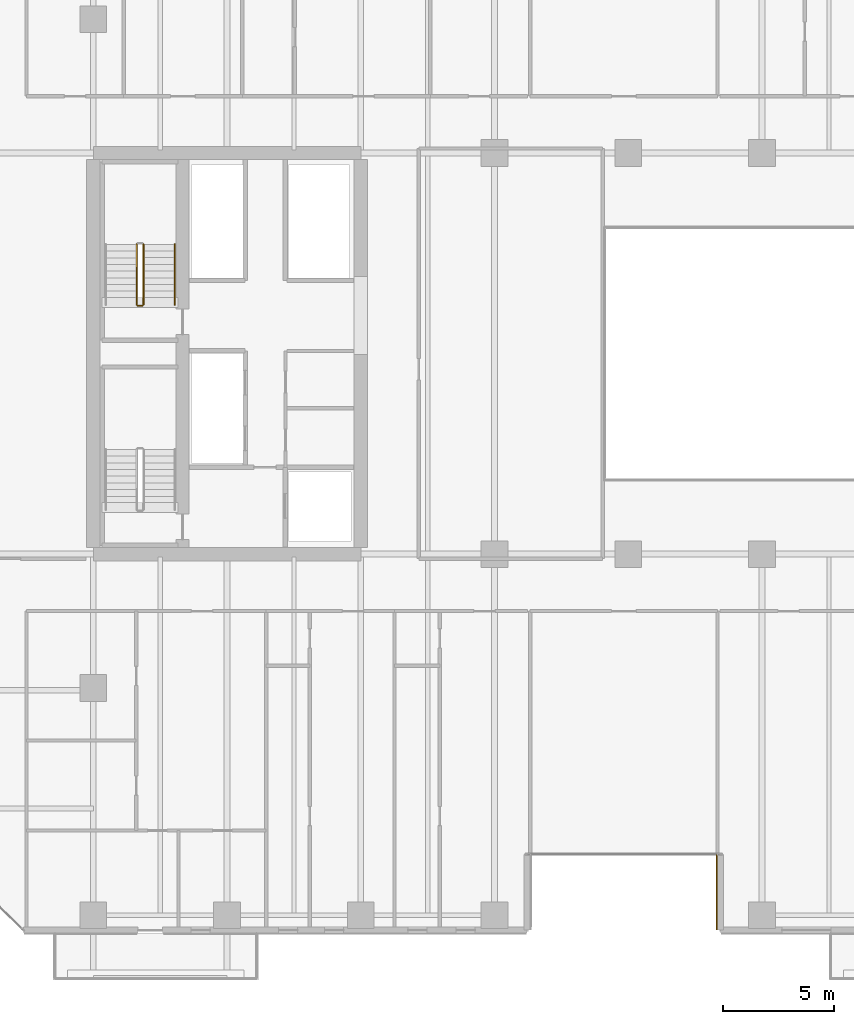
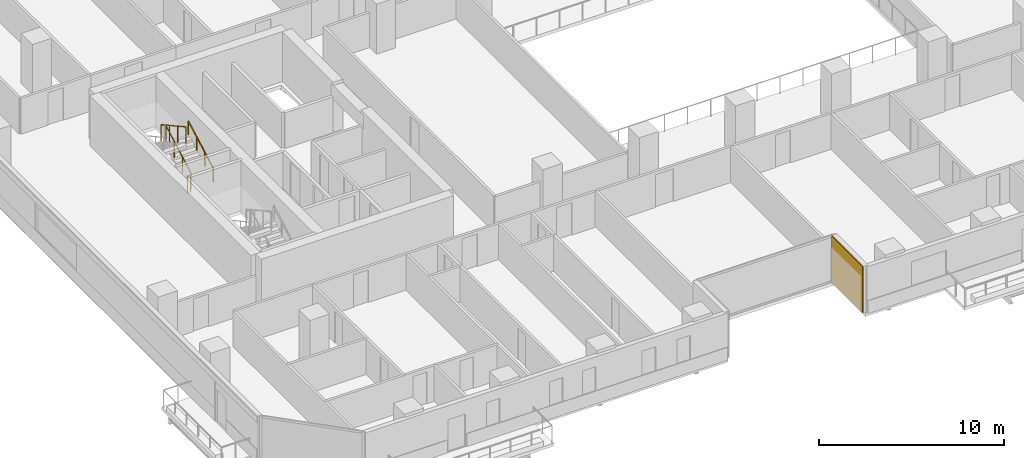
# One storey, part 27 of 33: 4 railings, 1 covering.
"""IFC4 building model written with IfcOpenShell, lengths in metres."""

from ifc_helpers import new_model, si_unit, direction, frame, origin, origin_2d, place, context, subcontext, project, spatial, rectangle, extrude, material, layer, layer_set, type_object, element, save


model = new_model("IFC4")

# Units and contexts
model_context = context("Model", 3, precision=1e-05, world=origin(), true_north=direction((0.0, 1.0)))
body_context = subcontext(model_context, "Body", "Model", "MODEL_VIEW")
ifc_project = project(units=[si_unit("LENGTHUNIT", "METRE"), si_unit("AREAUNIT", "SQUARE_METRE"), si_unit("VOLUMEUNIT", "CUBIC_METRE"), si_unit("PLANEANGLEUNIT", "RADIAN"), si_unit("MASSUNIT", "GRAM", prefix="KILO")], contexts=[model_context])

# Site, building, storey
site_placement = place(None, origin())
site = spatial("IfcSite", under=ifc_project, at=site_placement, CompositionType="ELEMENT")
building_placement = place(site_placement, origin())
building = spatial("IfcBuilding", under=site, at=building_placement, Name="Tanjung Sevakor Pilgrim Tower", CompositionType="ELEMENT")
storey_placement = place(building_placement, frame((0.0, 0.0, 38.93994140625)))
storey = spatial("IfcBuildingStorey", under=building, at=storey_placement, Name="L10", CompositionType="ELEMENT", Elevation=38.93994140625)

# Covering
ifc_material_1 = material(Name="Reconstructed Limestone Cladding", Category="masonry")
ifc_layer = layer(ifc_material_1, 0.044921875)
ifc_layer_set = layer_set([ifc_layer], Name="COV-CLAD-LIMESTONE")
covering_type = type_object("IfcCoveringType", Name="COV-CLAD-LIMESTONE", PredefinedType="CLADDING", material=ifc_layer_set)
covering_placement = place(storey_placement, frame((51.9775390625, 9.43994140625, 0.02001953125), z_axis=(0.0, 0.0, 1.0), x_axis=(0.0, -1.0, 0.0)))
element("IfcCovering", 1, at=covering_placement, inside=storey, type_object=covering_type, Name="L10 Warm Limestone Wall Cladding EW-L10-MAIN-4", PredefinedType="CLADDING", context=body_context, shape_type="SweptSolid", body=[
    extrude(rectangle(XDim=3.360107421875, YDim=0.044921875, at=origin_2d()), origin(), (0.0, 0.0, 1.0), 3.0400390625),
])

# Railings
ifc_material_2 = material(Name="Steel S355J2", Category="steel")
railing_type_1 = type_object("IfcRailingType", Name="RL-STAIR-GUARD", PredefinedType="GUARDRAIL", material=ifc_material_2)
railing_1_placement = place(storey_placement, frame((26.25, 35.800048828125, 0.1650390625)))
element("IfcRailing", 2, at=railing_1_placement, inside=storey, type_object=railing_type_1, Name="L10 TS-W2 stair guard 1", PredefinedType="GUARDRAIL", context=body_context, shape_type="SweptSolid", body=[
    extrude(rectangle(XDim=0.0479, YDim=0.0479), frame((0.0, 0.0, 1.076171875), z_axis=(0.0, 0.876197507361, 0.481952205197), x_axis=(-1.0, 0.0, 0.0)), (0.0, 0.0, 1.0), 3.08154296875),
    extrude(rectangle(XDim=0.042, YDim=0.042), origin(), (0.0, 0.0, 1.0), 1.052001953125),
    extrude(rectangle(XDim=0.042, YDim=0.042), frame((0.0, 0.89990234375, 0.4951171875)), (0.0, 0.0, 1.0), 1.052001953125),
    extrude(rectangle(XDim=0.042, YDim=0.042), frame((0.0, 1.800048828125, 0.989990234375)), (0.0, 0.0, 1.0), 1.052001953125),
    extrude(rectangle(XDim=0.042, YDim=0.042), frame((0.0, 2.699951171875, 1.485107421875)), (0.0, 0.0, 1.0), 1.052001953125),
])
railing_2_placement = place(storey_placement, frame((25.949951171875, 38.5, 1.81494140625)))
element("IfcRailing", 3, at=railing_2_placement, inside=storey, type_object=railing_type_1, Name="L10 TS-W2 stair guard 3", PredefinedType="GUARDRAIL", context=body_context, shape_type="SweptSolid", body=[
    extrude(rectangle(XDim=0.0479, YDim=0.0479), frame((0.0, 0.0, 1.076171875), z_axis=(0.0, -0.876197507361, 0.481952205197), x_axis=(1.0, 0.0, 0.0)), (0.0, 0.0, 1.0), 3.08154296875),
    extrude(rectangle(XDim=0.042, YDim=0.042), origin(), (0.0, 0.0, 1.0), 1.052001953125),
    extrude(rectangle(XDim=0.042, YDim=0.042), frame((0.0, -0.89990234375, 0.4951171875)), (0.0, 0.0, 1.0), 1.052001953125),
    extrude(rectangle(XDim=0.042, YDim=0.042), frame((0.0, -1.800048828125, 0.989990234375)), (0.0, 0.0, 1.0), 1.052001953125),
    extrude(rectangle(XDim=0.042, YDim=0.042), frame((0.0, -2.699951171875, 1.485107421875)), (0.0, 0.0, 1.0), 1.052001953125),
])
railing_3_placement = place(storey_placement, frame((26.199951171875, 35.75, 0.0)))
element("IfcRailing", 4, at=railing_3_placement, inside=storey, type_object=railing_type_1, Name="L10 TS-W2 stair guard 4", PredefinedType="GUARDRAIL", context=body_context, shape_type="SweptSolid", body=[
    extrude(rectangle(XDim=0.0479, YDim=0.0479), frame((0.0, 0.0, 1.076171875), z_axis=(-1.0, 0.0, 0.0), x_axis=(0.0, -1.0, 0.0)), (0.0, 0.0, 1.0), 0.199951171875),
    extrude(rectangle(XDim=0.042, YDim=0.042), origin(), (0.0, 0.0, 1.0), 1.052001953125),
    extrude(rectangle(XDim=0.042, YDim=0.042), frame((-0.199951171875, 0.0, 0.0)), (0.0, 0.0, 1.0), 1.052001953125),
])
ifc_material_3 = material(Name="Steel S355J2", Category="steel")
railing_type_2 = type_object("IfcRailingType", Name="RL-STAIR-HAND", PredefinedType="HANDRAIL", material=ifc_material_3)
railing_4_placement = place(storey_placement, frame((27.64990234375, 35.800048828125, 0.1650390625)))
element("IfcRailing", 5, at=railing_4_placement, inside=storey, type_object=railing_type_2, Name="L10 TS-W2 stair handrail 1", PredefinedType="HANDRAIL", context=body_context, shape_type="SweptSolid", body=[
    extrude(rectangle(XDim=0.0479, YDim=0.0479), frame((0.0, 0.0, 0.8759765625), z_axis=(0.0, 0.876197507361, 0.481952205197), x_axis=(-1.0, 0.0, 0.0)), (0.0, 0.0, 1.0), 3.08154296875),
    extrude(rectangle(XDim=0.042, YDim=0.042), origin(), (0.0, 0.0, 1.0), 0.851806640625),
    extrude(rectangle(XDim=0.042, YDim=0.042), frame((0.0, 0.89990234375, 0.4951171875)), (0.0, 0.0, 1.0), 0.851806640625),
    extrude(rectangle(XDim=0.042, YDim=0.042), frame((0.0, 1.800048828125, 0.989990234375)), (0.0, 0.0, 1.0), 0.851806640625),
    extrude(rectangle(XDim=0.042, YDim=0.042), frame((0.0, 2.699951171875, 1.485107421875)), (0.0, 0.0, 1.0), 0.851806640625),
])

save(model, "model.ifc")
